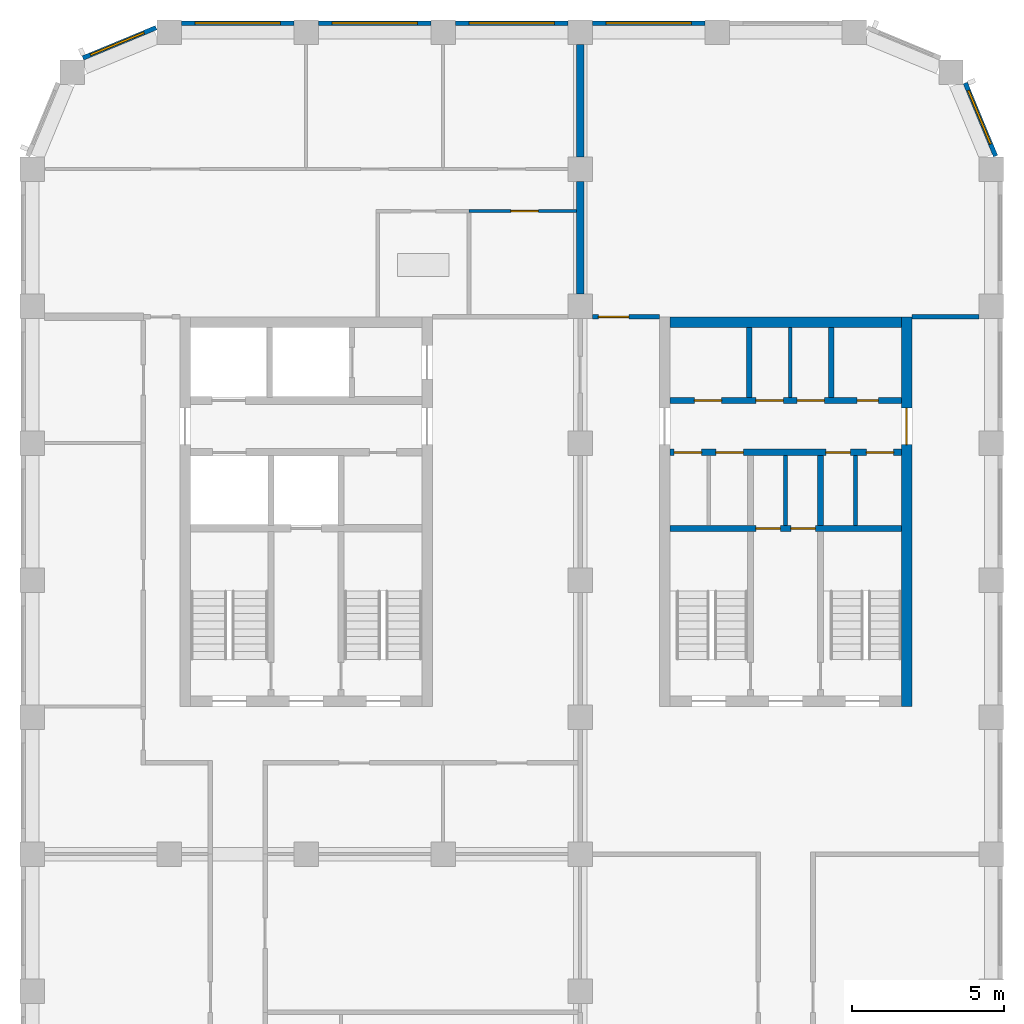
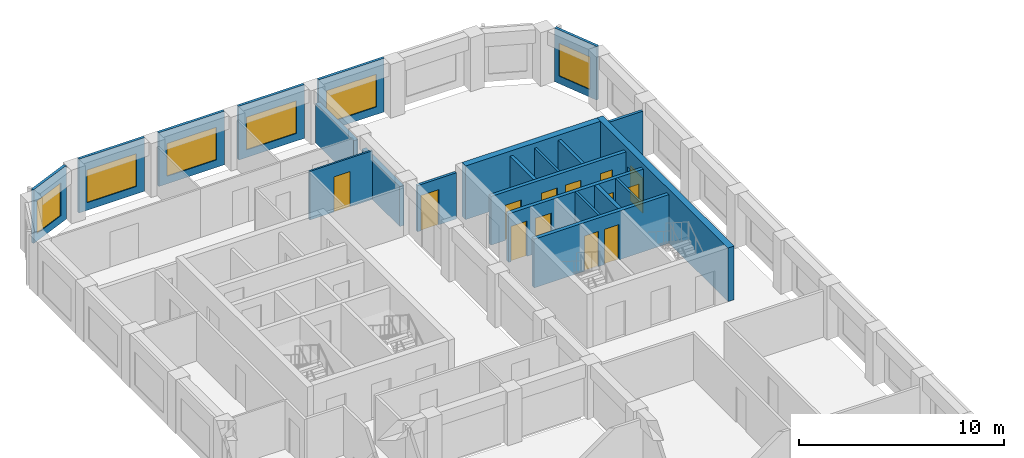
# One storey, part 6 of 9: 22 walls, 13 doors, 6 windows, 19 openings.
"""IFC4 building model written with IfcOpenShell, lengths in metres."""

from ifc_helpers import new_model, si_unit, direction, frame, frame_2d, origin, place, context, subcontext, project, spatial, rectangle, extrude, material, layer, layer_set, type_object, element, fill, save


model = new_model("IFC4")

# Units and contexts
model_context = context("Model", 3, precision=1e-05, world=origin(), true_north=direction((0.0, 1.0)))
body_context = subcontext(model_context, "Body", "Model", "MODEL_VIEW")
ifc_project = project(units=[si_unit("LENGTHUNIT", "METRE"), si_unit("AREAUNIT", "SQUARE_METRE"), si_unit("VOLUMEUNIT", "CUBIC_METRE"), si_unit("PLANEANGLEUNIT", "RADIAN"), si_unit("MASSUNIT", "GRAM", prefix="KILO")], contexts=[model_context])

# Site, building, storey
site_placement = place(None, origin())
site = spatial("IfcSite", under=ifc_project, at=site_placement, CompositionType="ELEMENT")
building_placement = place(site_placement, origin())
building = spatial("IfcBuilding", under=site, at=building_placement, Name="Girih Gate Residences", CompositionType="ELEMENT")
storey_placement = place(building_placement, frame((0.0, 0.0, 189.10009765625)))
storey = spatial("IfcBuildingStorey", under=building, at=storey_placement, Name="L52", CompositionType="ELEMENT", Elevation=189.10009765625)

# Walls
ifc_material_1 = material(Name="Gypsum board on steel studs", Category="steel")
ifc_layer_1 = layer(ifc_material_1, 0.25)
ifc_layer_set_1 = layer_set([ifc_layer_1], Name="Acoustic separating wall 250 mm")
wall_type_1 = type_object("IfcWallType", Name="Acoustic separating wall 250 mm", PredefinedType="PARTITIONING", material=ifc_layer_set_1)
for number, where, z_axis, x_axis, name in (
    (1, (18.0, 45.39990234375, 0.0), (0.0, 0.0, 1.0), (0.0, 1.0, 0.0), "L52 partition"),
    (2, (18.0, 40.89990234375, 0.0), (0.0, 0.0, 1.0), (0.0, 1.0, 0.0), "L52 partition"),
):
    element("IfcWall", number, at=place(storey_placement, frame(where, z_axis=z_axis, x_axis=x_axis)), inside=storey, type_object=wall_type_1, Name=name, PredefinedType="PARTITIONING", context=body_context, shape_type="SweptSolid", body=[
        extrude(rectangle(XDim=3.7001953125, YDim=0.25, at=frame_2d((1.85009765625, 0.0))), origin(), (0.0, 0.0, 1.0), 2.3798828125),
    ])

# Wall, opening, door
ifc_layer_2 = layer(ifc_material_1, 0.14990234375)
ifc_layer_set_2 = layer_set([ifc_layer_2], Name="Compartment wall 150 mm")
wall_type_2 = type_object("IfcWallType", Name="Compartment wall 150 mm", PredefinedType="PARTITIONING", material=ifc_layer_set_2)
wall_1_placement = place(storey_placement, frame((18.39990234375, 40.14990234375, 0.0), z_axis=(0.0, 0.0, 1.0), x_axis=(1.0, 0.0, 0.0)))
wall_1 = element("IfcWall", 3, at=wall_1_placement, inside=storey, type_object=wall_type_2, Name="L52 partition", PredefinedType="PARTITIONING", context=body_context, shape_type="SweptSolid", body=[
    extrude(rectangle(XDim=2.2001953125, YDim=0.14990234375, at=frame_2d((1.10009765625, 0.0))), origin(), (0.0, 0.0, 1.0), 2.75),
])
opening_1_placement = place(wall_1_placement, frame((0.199951171875, 0.0, 0.0)))
opening_1 = element("IfcOpeningElement", 4, at=opening_1_placement, cuts=wall_1, Name="Opening A52-014", PredefinedType="OPENING", context=body_context, shape_type="SweptSolid", body=[
    extrude(rectangle(XDim=1.0, YDim=2.10009765625, at=frame_2d((0.5, 1.050048828125))), frame((0.0, 0.0849609375, 0.0), z_axis=(0.0, -1.0, 0.0), x_axis=(1.0, 0.0, 0.0)), (0.0, 0.0, 1.0), 0.169921875),
])
ifc_material_2 = material(Name="Timber, fire-rated core", Category="wood")
door_type_1 = type_object("IfcDoorType", Name="Amenity room door 1000x2100 FD30S", OperationType="NOTDEFINED", PredefinedType="DOOR", material=ifc_material_2)
door_1_placement = place(opening_1_placement, origin())
door_1 = element("IfcDoor", 5, at=door_1_placement, inside=storey, type_object=door_type_1, Name="Door A52-014", OperationType="SINGLE_SWING_LEFT", OverallHeight=2.10009765625, OverallWidth=1.0, PredefinedType="DOOR", context=body_context, shape_type="SweptSolid", body=[
    extrude(rectangle(XDim=1.0, YDim=2.10009765625, at=frame_2d((0.5, 1.050048828125))), frame((0.0, 0.02490234375, 0.0), z_axis=(0.0, -1.0, 0.0), x_axis=(1.0, 0.0, 0.0)), (0.0, 0.0, 1.0), 0.050048828125),
])
fill(opening_1, door_1)

# Wall
wall_2_placement = place(storey_placement, frame((28.89990234375, 40.14990234375, 0.0), z_axis=(0.0, 0.0, 1.0), x_axis=(1.0, 0.0, 0.0)))
element("IfcWall", 6, at=wall_2_placement, inside=storey, type_object=wall_type_2, Name="L52 partition", PredefinedType="PARTITIONING", context=body_context, shape_type="SweptSolid", body=[
    extrude(rectangle(XDim=2.2001953125, YDim=0.14990234375, at=frame_2d((1.10009765625, 0.0))), origin(), (0.0, 0.0, 1.0), 2.75),
])

# Wall, opening, door
ifc_layer_3 = layer(ifc_material_1, 0.10009765625)
ifc_layer_set_3 = layer_set([ifc_layer_3], Name="Partition 100 mm")
wall_type_3 = type_object("IfcWallType", Name="Partition 100 mm", PredefinedType="PARTITIONING", material=ifc_layer_set_3)
wall_3_placement = place(storey_placement, frame((17.875, 43.6201171875, 0.0), z_axis=(0.0, 0.0, 1.0), x_axis=(-1.0, 0.0, 0.0)))
wall_3 = element("IfcWall", 7, at=wall_3_placement, inside=storey, type_object=wall_type_3, Name="L52 partition", PredefinedType="PARTITIONING", context=body_context, shape_type="SweptSolid", body=[
    extrude(rectangle(XDim=3.524658203125, YDim=0.10009765625, at=frame_2d((1.76220703125, 0.0))), origin(), (0.0, 0.0, 1.0), 2.89990234375),
])
opening_2_placement = place(wall_3_placement, frame((1.249755859375, 0.0, 0.0)))
opening_2 = element("IfcOpeningElement", 8, at=opening_2_placement, cuts=wall_3, Name="Opening A52-010", PredefinedType="OPENING", context=body_context, shape_type="SweptSolid", body=[
    extrude(rectangle(XDim=0.89990234375, YDim=2.10009765625, at=frame_2d((0.449951171875, 1.050048828125))), frame((0.0, 0.06005859375, 0.0), z_axis=(0.0, -1.0, 0.0), x_axis=(1.0, 0.0, 0.0)), (0.0, 0.0, 1.0), 0.1201171875),
])
ifc_material_3 = material(Name="Timber", Category="wood")
door_type_2 = type_object("IfcDoorType", Name="Kitchen door 900x2100", OperationType="NOTDEFINED", PredefinedType="DOOR", material=ifc_material_3)
door_2_placement = place(opening_2_placement, origin())
door_2 = element("IfcDoor", 9, at=door_2_placement, inside=storey, type_object=door_type_2, Name="Door A52-010", OperationType="SINGLE_SWING_LEFT", OverallHeight=2.10009765625, OverallWidth=0.89990234375, PredefinedType="DOOR", context=body_context, shape_type="SweptSolid", body=[
    extrude(rectangle(XDim=0.89990234375, YDim=2.10009765625, at=frame_2d((0.449951171875, 1.050048828125))), frame((0.0, 0.02490234375, 0.0), z_axis=(0.0, -1.0, 0.0), x_axis=(1.0, 0.0, 0.0)), (0.0, 0.0, 1.0), 0.050048828125),
])
fill(opening_2, door_2)

# Wall, opening, window
ifc_material_4 = material(Name="Precast concrete C50/60", Category="concrete")
ifc_layer_4 = layer(ifc_material_4, 0.050048828125, Name="Outer leaf")
ifc_material_5 = material(Name="Rigid PIR insulation")
ifc_layer_5 = layer(ifc_material_5, 0.06005859375, Name="Insulation")
ifc_material_6 = material(Name="Precast concrete C40/50", Category="concrete")
ifc_layer_6 = layer(ifc_material_6, 0.0400390625, Name="Inner leaf")
ifc_layer_set_4 = layer_set([ifc_layer_4, ifc_layer_5, ifc_layer_6], Name="Precast concrete C50/60 external wall 150")
wall_type_4 = type_object("IfcWallType", Name="Precast concrete C50/60 external wall 150", PredefinedType="SOLIDWALL", material=ifc_layer_set_4)
wall_4_placement = place(storey_placement, frame((30.6513671875, 47.8330078125, 0.0), z_axis=(0.0, 0.0, 1.0), x_axis=(0.382669406082, -0.923885342263, 0.0)))
wall_4 = element("IfcWall", 10, at=wall_4_placement, inside=storey, type_object=wall_type_4, Name="External wall NE0315_0450.0", PredefinedType="SOLIDWALL", context=body_context, shape_type="SweptSolid", body=[
    extrude(rectangle(XDim=2.602294921875, YDim=0.14990234375, at=frame_2d((1.30126953125, 0.0))), origin(), (0.0, 0.0, 1.0), 3.199951171875),
])
opening_3_placement = place(wall_4_placement, frame((0.27001953125, 0.0, 0.449951171875)))
opening_3 = element("IfcOpeningElement", 11, at=opening_3_placement, cuts=wall_4, Name="Opening W-2G", PredefinedType="OPENING", context=body_context, shape_type="SweptSolid", body=[
    extrude(rectangle(XDim=1.89990234375, YDim=1.949951171875, at=frame_2d((0.949951171875, 0.97509765625))), frame((0.0, 0.0849609375, 0.0), z_axis=(0.0, -1.0, 0.0), x_axis=(1.0, 0.0, 0.0)), (0.0, 0.0, 1.0), 0.169921875),
])
ifc_material_7 = material(Name="Double glazing in aluminium frame", Category="aluminium")
window_type_1 = type_object("IfcWindowType", Name="Window W-2G 1900x1950", PartitioningType="SINGLE_PANEL", PredefinedType="WINDOW", material=ifc_material_7)
window_1_placement = place(opening_3_placement, origin())
window_1 = element("IfcWindow", 12, at=window_1_placement, inside=storey, type_object=window_type_1, Name="Window W-2G NE0315_0450.0", OverallHeight=1.949951171875, OverallWidth=1.89990234375, PartitioningType="SINGLE_PANEL", PredefinedType="WINDOW", context=body_context, shape_type="SweptSolid", body=[
    extrude(rectangle(XDim=1.89990234375, YDim=1.949951171875, at=frame_2d((0.949951171875, 0.97509765625))), frame((0.0, 0.030029296875, 0.0), z_axis=(0.0, -1.0, 0.0), x_axis=(1.0, 0.0, 0.0)), (0.0, 0.0, 1.0), 0.06005859375),
])
fill(opening_3, window_1)

wall_5_placement = place(storey_placement, frame((18.39990234375, 49.800048828125, 0.0), z_axis=(0.0, 0.0, 1.0), x_axis=(1.0, 0.0, 0.0)))
wall_5 = element("IfcWall", 13, at=wall_5_placement, inside=storey, type_object=wall_type_4, Name="External wall N0270_0495.1", PredefinedType="SOLIDWALL", context=body_context, shape_type="SweptSolid", body=[
    extrude(rectangle(XDim=3.7001953125, YDim=0.14990234375, at=frame_2d((1.85009765625, 0.0))), origin(), (0.0, 0.0, 1.0), 3.199951171875),
])
opening_4_placement = place(wall_5_placement, frame((0.449951171875, 0.0, 0.449951171875)))
opening_4 = element("IfcOpeningElement", 14, at=opening_4_placement, cuts=wall_5, Name="Opening W-1B", PredefinedType="OPENING", context=body_context, shape_type="SweptSolid", body=[
    extrude(rectangle(XDim=2.800048828125, YDim=1.949951171875, at=frame_2d((1.39990234375, 0.97509765625))), frame((0.0, 0.0849609375, 0.0), z_axis=(0.0, -1.0, 0.0), x_axis=(1.0, 0.0, 0.0)), (0.0, 0.0, 1.0), 0.169921875),
])
window_type_2 = type_object("IfcWindowType", Name="Window W-1B 2800x1950", PartitioningType="SINGLE_PANEL", PredefinedType="WINDOW", material=ifc_material_7)
window_2_placement = place(opening_4_placement, origin())
window_2 = element("IfcWindow", 15, at=window_2_placement, inside=storey, type_object=window_type_2, Name="Window W-1B N0270_0495.1", OverallHeight=1.949951171875, OverallWidth=2.800048828125, PartitioningType="SINGLE_PANEL", PredefinedType="WINDOW", context=body_context, shape_type="SweptSolid", body=[
    extrude(rectangle(XDim=2.800048828125, YDim=1.949951171875, at=frame_2d((1.39990234375, 0.97509765625))), frame((0.0, 0.030029296875, 0.0), z_axis=(0.0, -1.0, 0.0), x_axis=(1.0, 0.0, 0.0)), (0.0, 0.0, 1.0), 0.06005859375),
])
fill(opening_4, window_2)

wall_6_placement = place(storey_placement, frame((13.89990234375, 49.800048828125, 0.0), z_axis=(0.0, 0.0, 1.0), x_axis=(1.0, 0.0, 0.0)))
wall_6 = element("IfcWall", 16, at=wall_6_placement, inside=storey, type_object=wall_type_4, Name="External wall N0270_0495.2", PredefinedType="SOLIDWALL", context=body_context, shape_type="SweptSolid", body=[
    extrude(rectangle(XDim=3.7001953125, YDim=0.14990234375, at=frame_2d((1.85009765625, 0.0))), origin(), (0.0, 0.0, 1.0), 3.199951171875),
])
opening_5_placement = place(wall_6_placement, frame((0.449951171875, 0.0, 0.449951171875)))
opening_5 = element("IfcOpeningElement", 17, at=opening_5_placement, cuts=wall_6, Name="Opening W-1B", PredefinedType="OPENING", context=body_context, shape_type="SweptSolid", body=[
    extrude(rectangle(XDim=2.800048828125, YDim=1.949951171875, at=frame_2d((1.39990234375, 0.97509765625))), frame((0.0, 0.0849609375, 0.0), z_axis=(0.0, -1.0, 0.0), x_axis=(1.0, 0.0, 0.0)), (0.0, 0.0, 1.0), 0.169921875),
])
window_3_placement = place(opening_5_placement, origin())
window_3 = element("IfcWindow", 18, at=window_3_placement, inside=storey, type_object=window_type_2, Name="Window W-1B N0270_0495.2", OverallHeight=1.949951171875, OverallWidth=2.800048828125, PartitioningType="SINGLE_PANEL", PredefinedType="WINDOW", context=body_context, shape_type="SweptSolid", body=[
    extrude(rectangle(XDim=2.800048828125, YDim=1.949951171875, at=frame_2d((1.39990234375, 0.97509765625))), frame((0.0, 0.030029296875, 0.0), z_axis=(0.0, -1.0, 0.0), x_axis=(1.0, 0.0, 0.0)), (0.0, 0.0, 1.0), 0.06005859375),
])
fill(opening_5, window_3)

wall_7_placement = place(storey_placement, frame((9.39990234375, 49.800048828125, 0.0), z_axis=(0.0, 0.0, 1.0), x_axis=(1.0, 0.0, 0.0)))
wall_7 = element("IfcWall", 19, at=wall_7_placement, inside=storey, type_object=wall_type_4, Name="External wall N0270_0495.3", PredefinedType="SOLIDWALL", context=body_context, shape_type="SweptSolid", body=[
    extrude(rectangle(XDim=3.7001953125, YDim=0.14990234375, at=frame_2d((1.85009765625, 0.0))), origin(), (0.0, 0.0, 1.0), 3.199951171875),
])
opening_6_placement = place(wall_7_placement, frame((0.449951171875, 0.0, 0.449951171875)))
opening_6 = element("IfcOpeningElement", 20, at=opening_6_placement, cuts=wall_7, Name="Opening W-1B", PredefinedType="OPENING", context=body_context, shape_type="SweptSolid", body=[
    extrude(rectangle(XDim=2.800048828125, YDim=1.949951171875, at=frame_2d((1.39990234375, 0.97509765625))), frame((0.0, 0.0849609375, 0.0), z_axis=(0.0, -1.0, 0.0), x_axis=(1.0, 0.0, 0.0)), (0.0, 0.0, 1.0), 0.169921875),
])
window_4_placement = place(opening_6_placement, origin())
window_4 = element("IfcWindow", 21, at=window_4_placement, inside=storey, type_object=window_type_2, Name="Window W-1B N0270_0495.3", OverallHeight=1.949951171875, OverallWidth=2.800048828125, PartitioningType="SINGLE_PANEL", PredefinedType="WINDOW", context=body_context, shape_type="SweptSolid", body=[
    extrude(rectangle(XDim=2.800048828125, YDim=1.949951171875, at=frame_2d((1.39990234375, 0.97509765625))), frame((0.0, 0.030029296875, 0.0), z_axis=(0.0, -1.0, 0.0), x_axis=(1.0, 0.0, 0.0)), (0.0, 0.0, 1.0), 0.06005859375),
])
fill(opening_6, window_4)

wall_8_placement = place(storey_placement, frame((4.89990234375, 49.800048828125, 0.0), z_axis=(0.0, 0.0, 1.0), x_axis=(1.0, 0.0, 0.0)))
wall_8 = element("IfcWall", 22, at=wall_8_placement, inside=storey, type_object=wall_type_4, Name="External wall N0270_0495.4", PredefinedType="SOLIDWALL", context=body_context, shape_type="SweptSolid", body=[
    extrude(rectangle(XDim=3.7001953125, YDim=0.14990234375, at=frame_2d((1.85009765625, 0.0))), origin(), (0.0, 0.0, 1.0), 3.199951171875),
])
opening_7_placement = place(wall_8_placement, frame((0.449951171875, 0.0, 0.449951171875)))
opening_7 = element("IfcOpeningElement", 23, at=opening_7_placement, cuts=wall_8, Name="Opening W-1B", PredefinedType="OPENING", context=body_context, shape_type="SweptSolid", body=[
    extrude(rectangle(XDim=2.800048828125, YDim=1.949951171875, at=frame_2d((1.39990234375, 0.97509765625))), frame((0.0, 0.0849609375, 0.0), z_axis=(0.0, -1.0, 0.0), x_axis=(1.0, 0.0, 0.0)), (0.0, 0.0, 1.0), 0.169921875),
])
window_5_placement = place(opening_7_placement, origin())
window_5 = element("IfcWindow", 24, at=window_5_placement, inside=storey, type_object=window_type_2, Name="Window W-1B N0270_0495.4", OverallHeight=1.949951171875, OverallWidth=2.800048828125, PartitioningType="SINGLE_PANEL", PredefinedType="WINDOW", context=body_context, shape_type="SweptSolid", body=[
    extrude(rectangle(XDim=2.800048828125, YDim=1.949951171875, at=frame_2d((1.39990234375, 0.97509765625))), frame((0.0, 0.030029296875, 0.0), z_axis=(0.0, -1.0, 0.0), x_axis=(1.0, 0.0, 0.0)), (0.0, 0.0, 1.0), 0.06005859375),
])
fill(opening_7, window_5)

wall_9_placement = place(storey_placement, frame((1.6669921875, 48.6513671875, 0.0), z_axis=(0.0, 0.0, 1.0), x_axis=(0.923885342263, 0.382669406082, 0.0)))
wall_9 = element("IfcWall", 25, at=wall_9_placement, inside=storey, type_object=wall_type_4, Name="External wall NW0045_0495.0", PredefinedType="SOLIDWALL", context=body_context, shape_type="SweptSolid", body=[
    extrude(rectangle(XDim=2.602294921875, YDim=0.14990234375, at=frame_2d((1.30126953125, 0.0))), origin(), (0.0, 0.0, 1.0), 3.199951171875),
])
opening_8_placement = place(wall_9_placement, frame((0.27001953125, 0.0, 0.449951171875)))
opening_8 = element("IfcOpeningElement", 26, at=opening_8_placement, cuts=wall_9, Name="Opening W-2G", PredefinedType="OPENING", context=body_context, shape_type="SweptSolid", body=[
    extrude(rectangle(XDim=1.89990234375, YDim=1.949951171875, at=frame_2d((0.949951171875, 0.97509765625))), frame((0.0, 0.0849609375, 0.0), z_axis=(0.0, -1.0, 0.0), x_axis=(1.0, 0.0, 0.0)), (0.0, 0.0, 1.0), 0.169921875),
])
window_6_placement = place(opening_8_placement, origin())
window_6 = element("IfcWindow", 27, at=window_6_placement, inside=storey, type_object=window_type_1, Name="Window W-2G NW0045_0495.0", OverallHeight=1.949951171875, OverallWidth=1.89990234375, PartitioningType="SINGLE_PANEL", PredefinedType="WINDOW", context=body_context, shape_type="SweptSolid", body=[
    extrude(rectangle(XDim=1.89990234375, YDim=1.949951171875, at=frame_2d((0.949951171875, 0.97509765625))), frame((0.0, 0.030029296875, 0.0), z_axis=(0.0, -1.0, 0.0), x_axis=(1.0, 0.0, 0.0)), (0.0, 0.0, 1.0), 0.06005859375),
])
fill(opening_8, window_6)

# Walls
ifc_material_8 = material(Name="Concrete C40/50", Category="concrete")
ifc_layer_7 = layer(ifc_material_8, 0.175048828125)
ifc_layer_set_5 = layer_set([ifc_layer_7], Name="Riser shaft wall 175")
wall_type_5 = type_object("IfcWallType", Name="Riser shaft wall 175", PredefinedType="SOLIDWALL", material=ifc_layer_set_5)
for number, where, z_axis, x_axis, name in (
    (28, (23.550048828125, 37.5, 0.0), (0.0, 0.0, 1.0), (0.0, 1.0, 0.0), "L52 C core wall V1c"),
    (29, (26.25, 37.5, 0.0), (0.0, 0.0, 1.0), (0.0, 1.0, 0.0), "L52 C core wall V2c"),
):
    element("IfcWall", number, at=place(storey_placement, frame(where, z_axis=z_axis, x_axis=x_axis)), inside=storey, type_object=wall_type_5, Name=name, PredefinedType="SOLIDWALL", context=body_context, shape_type="SweptSolid", body=[
        extrude(rectangle(XDim=2.300048828125, YDim=0.175048828125, at=frame_2d((1.14990234375, 0.0))), origin(), (0.0, 0.0, 1.0), 2.89990234375),
    ])

# Wall, openings, doors
ifc_layer_8 = layer(ifc_material_8, 0.199951171875)
ifc_layer_set_6 = layer_set([ifc_layer_8], Name="Shaft wall 200")
wall_type_6 = type_object("IfcWallType", Name="Shaft wall 200", PredefinedType="SOLIDWALL", material=ifc_layer_set_6)
wall_10_placement = place(storey_placement, frame((20.949951171875, 33.199951171875, 0.0), z_axis=(0.0, 0.0, 1.0), x_axis=(1.0, 0.0, 0.0)))
wall_10 = element("IfcWall", 30, at=wall_10_placement, inside=storey, type_object=wall_type_6, Name="L52 C core wall H1", PredefinedType="SOLIDWALL", context=body_context, shape_type="SweptSolid", body=[
    extrude(rectangle(XDim=7.60009765625, YDim=0.199951171875, at=frame_2d((3.800048828125, 0.0))), origin(), (0.0, 0.0, 1.0), 2.89990234375),
])
opening_9_placement = place(wall_10_placement, frame((2.824951171875, 0.0, 0.0)))
opening_9 = element("IfcOpeningElement", 31, at=opening_9_placement, cuts=wall_10, Name="Opening D-L52-C-011", PredefinedType="OPENING", context=body_context, shape_type="SweptSolid", body=[
    extrude(rectangle(XDim=0.800048828125, YDim=2.10009765625, at=frame_2d((0.39990234375, 1.050048828125))), frame((0.0, 0.10986328125, 0.0), z_axis=(0.0, -1.0, 0.0), x_axis=(1.0, 0.0, 0.0)), (0.0, 0.0, 1.0), 0.219970703125),
])
opening_10_placement = place(wall_10_placement, frame((3.97509765625, 0.0, 0.0)))
opening_10 = element("IfcOpeningElement", 32, at=opening_10_placement, cuts=wall_10, Name="Opening D-L52-C-012", PredefinedType="OPENING", context=body_context, shape_type="SweptSolid", body=[
    extrude(rectangle(XDim=0.800048828125, YDim=2.10009765625, at=frame_2d((0.39990234375, 1.050048828125))), frame((0.0, 0.10986328125, 0.0), z_axis=(0.0, -1.0, 0.0), x_axis=(1.0, 0.0, 0.0)), (0.0, 0.0, 1.0), 0.219970703125),
])
ifc_material_9 = material(Name="Painted steel, fire-resisting", Category="steel")
door_type_3 = type_object("IfcDoorType", Name="Fire door 800x2100", OperationType="SINGLE_SWING_LEFT", PredefinedType="DOOR", material=ifc_material_9)
door_3_placement = place(opening_9_placement, origin())
door_3 = element("IfcDoor", 33, at=door_3_placement, inside=storey, type_object=door_type_3, Name="L52 C linen store door", OperationType="SINGLE_SWING_LEFT", OverallHeight=2.10009765625, OverallWidth=0.800048828125, PredefinedType="DOOR", context=body_context, shape_type="SweptSolid", body=[
    extrude(rectangle(XDim=0.800048828125, YDim=2.10009765625, at=frame_2d((0.39990234375, 1.050048828125))), frame((0.0, 0.02490234375, 0.0), z_axis=(0.0, -1.0, 0.0), x_axis=(1.0, 0.0, 0.0)), (0.0, 0.0, 1.0), 0.050048828125),
])
fill(opening_9, door_3)
door_4_placement = place(opening_10_placement, origin())
door_4 = element("IfcDoor", 34, at=door_4_placement, inside=storey, type_object=door_type_3, Name="L52 C store door", OperationType="SINGLE_SWING_LEFT", OverallHeight=2.10009765625, OverallWidth=0.800048828125, PredefinedType="DOOR", context=body_context, shape_type="SweptSolid", body=[
    extrude(rectangle(XDim=0.800048828125, YDim=2.10009765625, at=frame_2d((0.39990234375, 1.050048828125))), frame((0.0, 0.02490234375, 0.0), z_axis=(0.0, -1.0, 0.0), x_axis=(1.0, 0.0, 0.0)), (0.0, 0.0, 1.0), 0.050048828125),
])
fill(opening_10, door_4)

wall_11_placement = place(storey_placement, frame((20.949951171875, 35.699951171875, 0.0), z_axis=(0.0, 0.0, 1.0), x_axis=(1.0, 0.0, 0.0)))
wall_11 = element("IfcWall", 35, at=wall_11_placement, inside=storey, type_object=wall_type_6, Name="L52 C core wall H2", PredefinedType="SOLIDWALL", context=body_context, shape_type="SweptSolid", body=[
    extrude(rectangle(XDim=7.60009765625, YDim=0.199951171875, at=frame_2d((3.800048828125, 0.0))), origin(), (0.0, 0.0, 1.0), 2.89990234375),
])
opening_11_placement = place(wall_11_placement, frame((0.137451171875, 0.0, 0.0)))
opening_11 = element("IfcOpeningElement", 36, at=opening_11_placement, cuts=wall_11, Name="Opening D-L52-C-004", PredefinedType="OPENING", context=body_context, shape_type="SweptSolid", body=[
    extrude(rectangle(XDim=0.89990234375, YDim=2.10009765625, at=frame_2d((0.449951171875, 1.050048828125))), frame((0.0, 0.10986328125, 0.0), z_axis=(0.0, -1.0, 0.0), x_axis=(1.0, 0.0, 0.0)), (0.0, 0.0, 1.0), 0.219970703125),
])
opening_12_placement = place(wall_11_placement, frame((1.512451171875, 0.0, 0.0)))
opening_12 = element("IfcOpeningElement", 37, at=opening_12_placement, cuts=wall_11, Name="Opening D-L52-C-005", PredefinedType="OPENING", context=body_context, shape_type="SweptSolid", body=[
    extrude(rectangle(XDim=0.89990234375, YDim=2.10009765625, at=frame_2d((0.449951171875, 1.050048828125))), frame((0.0, 0.10986328125, 0.0), z_axis=(0.0, -1.0, 0.0), x_axis=(1.0, 0.0, 0.0)), (0.0, 0.0, 1.0), 0.219970703125),
])
opening_13_placement = place(wall_11_placement, frame((5.125, 0.0, 0.0)))
opening_13 = element("IfcOpeningElement", 38, at=opening_13_placement, cuts=wall_11, Name="Opening D-L52-C-006", PredefinedType="OPENING", context=body_context, shape_type="SweptSolid", body=[
    extrude(rectangle(XDim=0.800048828125, YDim=2.10009765625, at=frame_2d((0.39990234375, 1.050048828125))), frame((0.0, 0.10986328125, 0.0), z_axis=(0.0, -1.0, 0.0), x_axis=(1.0, 0.0, 0.0)), (0.0, 0.0, 1.0), 0.219970703125),
])
opening_14_placement = place(wall_11_placement, frame((6.449951171875, 0.0, 0.0)))
opening_14 = element("IfcOpeningElement", 39, at=opening_14_placement, cuts=wall_11, Name="Opening D-L52-C-007", PredefinedType="OPENING", context=body_context, shape_type="SweptSolid", body=[
    extrude(rectangle(XDim=0.89990234375, YDim=2.10009765625, at=frame_2d((0.449951171875, 1.050048828125))), frame((0.0, 0.10986328125, 0.0), z_axis=(0.0, -1.0, 0.0), x_axis=(1.0, 0.0, 0.0)), (0.0, 0.0, 1.0), 0.219970703125),
])
door_5_placement = place(opening_13_placement, origin())
door_5 = element("IfcDoor", 40, at=door_5_placement, inside=storey, type_object=door_type_3, Name="L52 C store door", OperationType="SINGLE_SWING_LEFT", OverallHeight=2.10009765625, OverallWidth=0.800048828125, PredefinedType="DOOR", context=body_context, shape_type="SweptSolid", body=[
    extrude(rectangle(XDim=0.800048828125, YDim=2.10009765625, at=frame_2d((0.39990234375, 1.050048828125))), frame((0.0, 0.02490234375, 0.0), z_axis=(0.0, -1.0, 0.0), x_axis=(1.0, 0.0, 0.0)), (0.0, 0.0, 1.0), 0.050048828125),
])
fill(opening_13, door_5)
door_type_4 = type_object("IfcDoorType", Name="Fire door 900x2100", OperationType="SINGLE_SWING_LEFT", PredefinedType="DOOR", material=ifc_material_9)
door_6_placement = place(opening_11_placement, origin())
door_6 = element("IfcDoor", 41, at=door_6_placement, inside=storey, type_object=door_type_4, Name="L52 C electrical room door", OperationType="SINGLE_SWING_LEFT", OverallHeight=2.10009765625, OverallWidth=0.89990234375, PredefinedType="DOOR", context=body_context, shape_type="SweptSolid", body=[
    extrude(rectangle(XDim=0.89990234375, YDim=2.10009765625, at=frame_2d((0.449951171875, 1.050048828125))), frame((0.0, 0.02490234375, 0.0), z_axis=(0.0, -1.0, 0.0), x_axis=(1.0, 0.0, 0.0)), (0.0, 0.0, 1.0), 0.050048828125),
])
fill(opening_11, door_6)
door_7_placement = place(opening_12_placement, origin())
door_7 = element("IfcDoor", 42, at=door_7_placement, inside=storey, type_object=door_type_4, Name="L52 C pantry door", OperationType="SINGLE_SWING_LEFT", OverallHeight=2.10009765625, OverallWidth=0.89990234375, PredefinedType="DOOR", context=body_context, shape_type="SweptSolid", body=[
    extrude(rectangle(XDim=0.89990234375, YDim=2.10009765625, at=frame_2d((0.449951171875, 1.050048828125))), frame((0.0, 0.02490234375, 0.0), z_axis=(0.0, -1.0, 0.0), x_axis=(1.0, 0.0, 0.0)), (0.0, 0.0, 1.0), 0.050048828125),
])
fill(opening_12, door_7)
door_8_placement = place(opening_14_placement, origin())
door_8 = element("IfcDoor", 43, at=door_8_placement, inside=storey, type_object=door_type_4, Name="L52 C comms room door", OperationType="SINGLE_SWING_LEFT", OverallHeight=2.10009765625, OverallWidth=0.89990234375, PredefinedType="DOOR", context=body_context, shape_type="SweptSolid", body=[
    extrude(rectangle(XDim=0.89990234375, YDim=2.10009765625, at=frame_2d((0.449951171875, 1.050048828125))), frame((0.0, 0.02490234375, 0.0), z_axis=(0.0, -1.0, 0.0), x_axis=(1.0, 0.0, 0.0)), (0.0, 0.0, 1.0), 0.050048828125),
])
fill(opening_14, door_8)

wall_12_placement = place(storey_placement, frame((20.949951171875, 37.39990234375, 0.0), z_axis=(0.0, 0.0, 1.0), x_axis=(1.0, 0.0, 0.0)))
wall_12 = element("IfcWall", 44, at=wall_12_placement, inside=storey, type_object=wall_type_6, Name="L52 C core wall H3", PredefinedType="SOLIDWALL", context=body_context, shape_type="SweptSolid", body=[
    extrude(rectangle(XDim=7.60009765625, YDim=0.199951171875, at=frame_2d((3.800048828125, 0.0))), origin(), (0.0, 0.0, 1.0), 2.89990234375),
])
opening_15_placement = place(wall_12_placement, frame((6.14990234375, 0.0, 0.0)))
opening_15 = element("IfcOpeningElement", 45, at=opening_15_placement, cuts=wall_12, Name="Opening D-L52-C-003", PredefinedType="OPENING", context=body_context, shape_type="SweptSolid", body=[
    extrude(rectangle(XDim=0.699951171875, YDim=2.10009765625, at=frame_2d((0.35009765625, 1.050048828125))), frame((0.0, 0.10986328125, 0.0), z_axis=(0.0, -1.0, 0.0), x_axis=(1.0, 0.0, 0.0)), (0.0, 0.0, 1.0), 0.219970703125),
])
opening_16_placement = place(wall_12_placement, frame((0.800048828125, 0.0, 0.0)))
opening_16 = element("IfcOpeningElement", 46, at=opening_16_placement, cuts=wall_12, Name="Opening D-L52-C-008", PredefinedType="OPENING", context=body_context, shape_type="SweptSolid", body=[
    extrude(rectangle(XDim=0.89990234375, YDim=2.10009765625, at=frame_2d((0.449951171875, 1.050048828125))), frame((0.0, 0.10986328125, 0.0), z_axis=(0.0, -1.0, 0.0), x_axis=(1.0, 0.0, 0.0)), (0.0, 0.0, 1.0), 0.219970703125),
])
opening_17_placement = place(wall_12_placement, frame((2.824951171875, 0.0, 0.0)))
opening_17 = element("IfcOpeningElement", 47, at=opening_17_placement, cuts=wall_12, Name="Opening D-L52-C-009", PredefinedType="OPENING", context=body_context, shape_type="SweptSolid", body=[
    extrude(rectangle(XDim=0.89990234375, YDim=2.10009765625, at=frame_2d((0.449951171875, 1.050048828125))), frame((0.0, 0.10986328125, 0.0), z_axis=(0.0, -1.0, 0.0), x_axis=(1.0, 0.0, 0.0)), (0.0, 0.0, 1.0), 0.219970703125),
])
opening_18_placement = place(wall_12_placement, frame((4.175048828125, 0.0, 0.0)))
opening_18 = element("IfcOpeningElement", 48, at=opening_18_placement, cuts=wall_12, Name="Opening D-L52-C-010", PredefinedType="OPENING", context=body_context, shape_type="SweptSolid", body=[
    extrude(rectangle(XDim=0.89990234375, YDim=2.10009765625, at=frame_2d((0.449951171875, 1.050048828125))), frame((0.0, 0.10986328125, 0.0), z_axis=(0.0, -1.0, 0.0), x_axis=(1.0, 0.0, 0.0)), (0.0, 0.0, 1.0), 0.219970703125),
])
door_9_placement = place(opening_16_placement, origin())
door_9 = element("IfcDoor", 49, at=door_9_placement, inside=storey, type_object=door_type_4, Name="L52 C refuse store door", OperationType="SINGLE_SWING_LEFT", OverallHeight=2.10009765625, OverallWidth=0.89990234375, PredefinedType="DOOR", context=body_context, shape_type="SweptSolid", body=[
    extrude(rectangle(XDim=0.89990234375, YDim=2.10009765625, at=frame_2d((0.449951171875, 1.050048828125))), frame((0.0, 0.02490234375, 0.0), z_axis=(0.0, -1.0, 0.0), x_axis=(1.0, 0.0, 0.0)), (0.0, 0.0, 1.0), 0.050048828125),
])
fill(opening_16, door_9)
door_10_placement = place(opening_17_placement, origin())
door_10 = element("IfcDoor", 50, at=door_10_placement, inside=storey, type_object=door_type_4, Name="L52 C maintenance store door", OperationType="SINGLE_SWING_LEFT", OverallHeight=2.10009765625, OverallWidth=0.89990234375, PredefinedType="DOOR", context=body_context, shape_type="SweptSolid", body=[
    extrude(rectangle(XDim=0.89990234375, YDim=2.10009765625, at=frame_2d((0.449951171875, 1.050048828125))), frame((0.0, 0.02490234375, 0.0), z_axis=(0.0, -1.0, 0.0), x_axis=(1.0, 0.0, 0.0)), (0.0, 0.0, 1.0), 0.050048828125),
])
fill(opening_17, door_10)
door_11_placement = place(opening_18_placement, origin())
door_11 = element("IfcDoor", 51, at=door_11_placement, inside=storey, type_object=door_type_4, Name="L52 C electrical room door", OperationType="SINGLE_SWING_LEFT", OverallHeight=2.10009765625, OverallWidth=0.89990234375, PredefinedType="DOOR", context=body_context, shape_type="SweptSolid", body=[
    extrude(rectangle(XDim=0.89990234375, YDim=2.10009765625, at=frame_2d((0.449951171875, 1.050048828125))), frame((0.0, 0.02490234375, 0.0), z_axis=(0.0, -1.0, 0.0), x_axis=(1.0, 0.0, 0.0)), (0.0, 0.0, 1.0), 0.050048828125),
])
fill(opening_18, door_11)
door_type_5 = type_object("IfcDoorType", Name="Riser access door 700x2100", OperationType="SINGLE_SWING_LEFT", PredefinedType="DOOR", material=ifc_material_9)
door_12_placement = place(opening_15_placement, origin())
door_12 = element("IfcDoor", 52, at=door_12_placement, inside=storey, type_object=door_type_5, Name="L52 C riser room door", OperationType="SINGLE_SWING_LEFT", OverallHeight=2.10009765625, OverallWidth=0.699951171875, PredefinedType="DOOR", context=body_context, shape_type="SweptSolid", body=[
    extrude(rectangle(XDim=0.699951171875, YDim=2.10009765625, at=frame_2d((0.35009765625, 1.050048828125))), frame((0.0, 0.02490234375, 0.0), z_axis=(0.0, -1.0, 0.0), x_axis=(1.0, 0.0, 0.0)), (0.0, 0.0, 1.0), 0.050048828125),
])
fill(opening_15, door_12)

# Walls
wall_13_placement = place(storey_placement, frame((25.89990234375, 33.300048828125, 0.0), z_axis=(0.0, 0.0, 1.0), x_axis=(0.0, 1.0, 0.0)))
element("IfcWall", 53, at=wall_13_placement, inside=storey, type_object=wall_type_6, Name="L52 C core wall V2b", PredefinedType="SOLIDWALL", context=body_context, shape_type="SweptSolid", body=[
    extrude(rectangle(XDim=2.300048828125, YDim=0.199951171875, at=frame_2d((1.14990234375, 0.0))), origin(), (0.0, 0.0, 1.0), 2.89990234375),
])
ifc_layer_9 = layer(ifc_material_8, 0.35009765625)
ifc_layer_set_7 = layer_set([ifc_layer_9], Name="Stair core wall RC 350 Concrete C40/50")
wall_type_7 = type_object("IfcWallType", Name="Stair core wall RC 350 Concrete C40/50", PredefinedType="SOLIDWALL", material=ifc_layer_set_7)
wall_14_placement = place(storey_placement, frame((20.949951171875, 39.97509765625, 0.0), z_axis=(0.0, 0.0, 1.0), x_axis=(1.0, 0.0, 0.0)))
element("IfcWall", 54, at=wall_14_placement, inside=storey, type_object=wall_type_7, Name="Stair core wall C-N L52", PredefinedType="SOLIDWALL", context=body_context, shape_type="SweptSolid", body=[
    extrude(rectangle(XDim=7.60009765625, YDim=0.35009765625, at=frame_2d((3.800048828125, 0.0))), origin(), (0.0, 0.0, 1.0), 3.199951171875),
])

# Wall, opening, door
wall_15_placement = place(storey_placement, frame((28.72509765625, 27.35009765625, 0.0), z_axis=(0.0, 0.0, 1.0), x_axis=(0.0, 1.0, 0.0)))
wall_15 = element("IfcWall", 55, at=wall_15_placement, inside=storey, type_object=wall_type_7, Name="Stair core wall C-E L52", PredefinedType="SOLIDWALL", context=body_context, shape_type="SweptSolid", body=[
    extrude(rectangle(XDim=12.7998046875, YDim=0.35009765625, at=frame_2d((6.39990234375, 0.0))), origin(), (0.0, 0.0, 1.0), 3.199951171875),
])
opening_19_placement = place(wall_15_placement, frame((8.60009765625, 0.0, 0.0)))
opening_19 = element("IfcOpeningElement", 56, at=opening_19_placement, cuts=wall_15, Name="Opening D-L52-C-017", PredefinedType="OPENING", context=body_context, shape_type="SweptSolid", body=[
    extrude(rectangle(XDim=1.199951171875, YDim=2.10009765625, at=frame_2d((0.60009765625, 1.050048828125))), frame((0.0, 0.18505859375, 0.0), z_axis=(0.0, -1.0, 0.0), x_axis=(1.0, 0.0, 0.0)), (0.0, 0.0, 1.0), 0.3701171875),
])
door_type_6 = type_object("IfcDoorType", Name="Fire door 1200x2100", OperationType="SINGLE_SWING_LEFT", PredefinedType="DOOR", material=ifc_material_9)
door_13_placement = place(opening_19_placement, origin())
door_13 = element("IfcDoor", 57, at=door_13_placement, inside=storey, type_object=door_type_6, Name="L52 C core door ll-e", OperationType="SINGLE_SWING_LEFT", OverallHeight=2.10009765625, OverallWidth=1.199951171875, PredefinedType="DOOR", context=body_context, shape_type="SweptSolid", body=[
    extrude(rectangle(XDim=1.199951171875, YDim=2.10009765625, at=frame_2d((0.60009765625, 1.050048828125))), frame((0.0, 0.02490234375, 0.0), z_axis=(0.0, -1.0, 0.0), x_axis=(1.0, 0.0, 0.0)), (0.0, 0.0, 1.0), 0.050048828125),
])
fill(opening_19, door_13)

# Walls
ifc_material_10 = material(Name="Calcium silicate blockwork", Category="masonry")
ifc_layer_10 = layer(ifc_material_10, 0.125)
ifc_layer_set_8 = layer_set([ifc_layer_10], Name="Store partition 125")
wall_type_8 = type_object("IfcWallType", Name="Store partition 125", PredefinedType="PARTITIONING", material=ifc_layer_set_8)
for number, where, z_axis, x_axis, name in (
    (58, (27.050048828125, 33.300048828125, 0.0), (0.0, 0.0, 1.0), (0.0, 1.0, 0.0), "L52 C core wall SHR2"),
    (59, (24.89990234375, 37.5, 0.0), (0.0, 0.0, 1.0), (0.0, 1.0, 0.0), "L52 C core wall SLR2"),
    (60, (24.75, 33.300048828125, 0.0), (0.0, 0.0, 1.0), (0.0, 1.0, 0.0), "L52 C core wall SFFS"),
):
    element("IfcWall", number, at=place(storey_placement, frame(where, z_axis=z_axis, x_axis=x_axis)), inside=storey, type_object=wall_type_8, Name=name, PredefinedType="PARTITIONING", context=body_context, shape_type="SweptSolid", body=[
        extrude(rectangle(XDim=2.300048828125, YDim=0.125, at=frame_2d((1.14990234375, 0.0))), origin(), (0.0, 0.0, 1.0), 2.89990234375),
    ])

save(model, "model.ifc")
